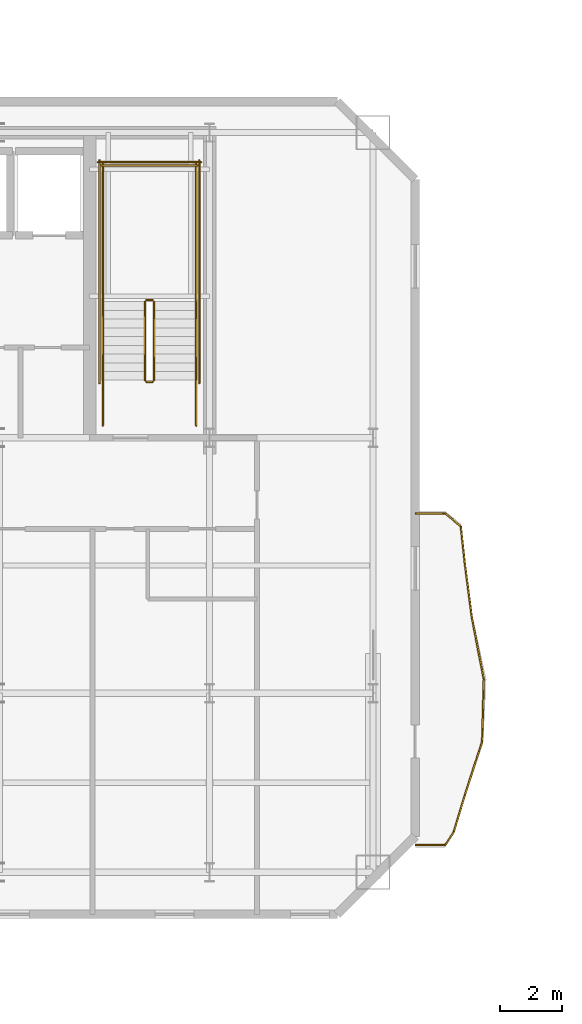
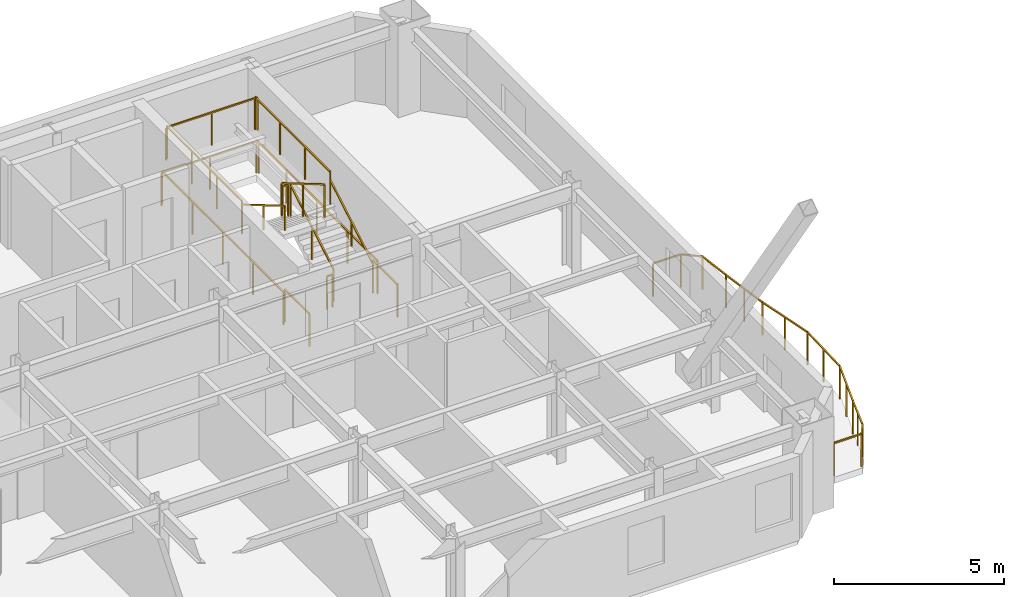
# One storey, part 12 of 14: 24 railings.
"""IFC4 building model written with IfcOpenShell, lengths in metres."""

from ifc_helpers import new_model, si_unit, direction, frame, origin, origin_2d, place, context, subcontext, project, spatial, rectangle, extrude, material, type_object, element, save


model = new_model("IFC4")

# Units and contexts
model_context = context("Model", 3, precision=1e-05, world=origin(), true_north=direction((0.0, 1.0)))
body_context = subcontext(model_context, "Body", "Model", "MODEL_VIEW")
ifc_project = project(units=[si_unit("LENGTHUNIT", "METRE"), si_unit("AREAUNIT", "SQUARE_METRE"), si_unit("VOLUMEUNIT", "CUBIC_METRE"), si_unit("PLANEANGLEUNIT", "RADIAN"), si_unit("MASSUNIT", "GRAM", prefix="KILO")], contexts=[model_context])

# Site, building, storey
site_placement = place(None, origin())
site = spatial("IfcSite", under=ifc_project, at=site_placement, CompositionType="ELEMENT")
building_placement = place(site_placement, origin())
building = spatial("IfcBuilding", under=site, at=building_placement, Name="Haevon Station Towers", CompositionType="ELEMENT")
storey_placement = place(building_placement, frame((0.0, 0.0, 228.60009765625)))
storey = spatial("IfcBuildingStorey", under=building, at=storey_placement, Name="L63", CompositionType="ELEMENT", Elevation=228.60009765625)

# Railings
ifc_material = material(Name="Steel S355", Category="steel")
railing_type_1 = type_object("IfcRailingType", Name="GRD-EXT1200", PredefinedType="GUARDRAIL", material=ifc_material)
railing_1_placement = place(storey_placement, frame((57.62353515625, 25.1279296875, 0.0)))
element("IfcRailing", 1, at=railing_1_placement, inside=storey, type_object=railing_type_1, Name="L63 Perimeter Guardrail 1", PredefinedType="GUARDRAIL", context=body_context, shape_type="SweptSolid", body=[
    extrude(rectangle(XDim=0.048095703125, YDim=0.048095703125, at=origin_2d()), frame((0.0, 0.0, 1.17578125), z_axis=(0.999997857851, 0.002069853263, 0.0), x_axis=(-0.002069853263, 0.999997857851, 0.0)), (0.0, 0.0, 1.0), 0.943603515625),
    extrude(rectangle(XDim=0.0419921875, YDim=0.0419921875, at=origin_2d()), origin(), (0.0, 0.0, 1.0), 1.15185546875),
    extrude(rectangle(XDim=0.0419921875, YDim=0.0419921875, at=origin_2d()), frame((0.943603515625, 0.001953125, 0.0)), (0.0, 0.0, 1.0), 1.15185546875),
])
railing_2_placement = place(storey_placement, frame((58.567138671875, 25.1298828125, 0.0)))
element("IfcRailing", 2, at=railing_2_placement, inside=storey, type_object=railing_type_1, Name="L63 Perimeter Guardrail 2", PredefinedType="GUARDRAIL", context=body_context, shape_type="SweptSolid", body=[
    extrude(rectangle(XDim=0.048095703125, YDim=0.048095703125, at=origin_2d()), frame((0.0, 0.0, 1.17578125), z_axis=(0.551035492448, 0.834481806909, 0.0), x_axis=(-0.834481806909, 0.551035492448, 0.0)), (0.0, 0.0, 1.0), 0.49267578125),
    extrude(rectangle(XDim=0.0419921875, YDim=0.0419921875, at=origin_2d()), origin(), (0.0, 0.0, 1.0), 1.15185546875),
    extrude(rectangle(XDim=0.0419921875, YDim=0.0419921875, at=origin_2d()), frame((0.271484375, 0.4111328125, 0.0)), (0.0, 0.0, 1.0), 1.15185546875),
])
railing_3_placement = place(storey_placement, frame((58.838623046875, 25.541015625, 0.0)))
element("IfcRailing", 3, at=railing_3_placement, inside=storey, type_object=railing_type_1, Name="L63 Perimeter Guardrail 3", PredefinedType="GUARDRAIL", context=body_context, shape_type="SweptSolid", body=[
    extrude(rectangle(XDim=0.048095703125, YDim=0.048095703125, at=origin_2d()), frame((0.0, 0.0, 1.17578125), z_axis=(0.289691533525, 0.957120063212, 0.0), x_axis=(-0.957120063212, 0.289691533525, 0.0)), (0.0, 0.0, 1.0), 1.222900390625),
    extrude(rectangle(XDim=0.0419921875, YDim=0.0419921875, at=origin_2d()), origin(), (0.0, 0.0, 1.0), 1.15185546875),
    extrude(rectangle(XDim=0.0419921875, YDim=0.0419921875, at=origin_2d()), frame((0.17724609375, 0.585205078125, 0.0)), (0.0, 0.0, 1.0), 1.15185546875),
    extrude(rectangle(XDim=0.0419921875, YDim=0.0419921875, at=origin_2d()), frame((0.354248046875, 1.17041015625, 0.0)), (0.0, 0.0, 1.0), 1.15185546875),
])
railing_4_placement = place(storey_placement, frame((59.19287109375, 26.71142578125, 0.0)))
element("IfcRailing", 4, at=railing_4_placement, inside=storey, type_object=railing_type_1, Name="L63 Perimeter Guardrail 4", PredefinedType="GUARDRAIL", context=body_context, shape_type="SweptSolid", body=[
    extrude(rectangle(XDim=0.048095703125, YDim=0.048095703125, at=origin_2d()), frame((0.0, 0.0, 1.17578125), z_axis=(0.30505605899, 0.952334395511, 0.0), x_axis=(-0.952334395511, 0.30505605899, 0.0)), (0.0, 0.0, 1.0), 1.832763671875),
    extrude(rectangle(XDim=0.0419921875, YDim=0.0419921875, at=origin_2d()), origin(), (0.0, 0.0, 1.0), 1.15185546875),
    extrude(rectangle(XDim=0.0419921875, YDim=0.0419921875, at=origin_2d()), frame((0.279541015625, 0.87255859375, 0.0)), (0.0, 0.0, 1.0), 1.15185546875),
    extrude(rectangle(XDim=0.0419921875, YDim=0.0419921875, at=origin_2d()), frame((0.55908203125, 1.745361328125, 0.0)), (0.0, 0.0, 1.0), 1.15185546875),
])
railing_5_placement = place(storey_placement, frame((59.751953125, 28.456787109375, 0.0)))
element("IfcRailing", 5, at=railing_5_placement, inside=storey, type_object=railing_type_1, Name="L63 Perimeter Guardrail 5", PredefinedType="GUARDRAIL", context=body_context, shape_type="SweptSolid", body=[
    extrude(rectangle(XDim=0.048095703125, YDim=0.048095703125, at=origin_2d()), frame((0.0, 0.0, 1.17578125), z_axis=(0.026326002365, 0.999653410738, 0.0), x_axis=(-0.999653410738, 0.026326002365, 0.0)), (0.0, 0.0, 1.0), 1.993896484375),
    extrude(rectangle(XDim=0.0419921875, YDim=0.0419921875, at=origin_2d()), origin(), (0.0, 0.0, 1.0), 1.15185546875),
    extrude(rectangle(XDim=0.0419921875, YDim=0.0419921875, at=origin_2d()), frame((0.0263671875, 0.99658203125, 0.0)), (0.0, 0.0, 1.0), 1.15185546875),
    extrude(rectangle(XDim=0.0419921875, YDim=0.0419921875, at=origin_2d()), frame((0.052490234375, 1.9931640625, 0.0)), (0.0, 0.0, 1.0), 1.15185546875),
])
railing_6_placement = place(storey_placement, frame((59.804443359375, 30.449951171875, 0.0)))
element("IfcRailing", 6, at=railing_6_placement, inside=storey, type_object=railing_type_1, Name="L63 Perimeter Guardrail 6", PredefinedType="GUARDRAIL", context=body_context, shape_type="SweptSolid", body=[
    extrude(rectangle(XDim=0.048095703125, YDim=0.048095703125, at=origin_2d()), frame((0.0, 0.0, 1.17578125), z_axis=(-0.189669695752, 0.981847954886, 0.0), x_axis=(-0.981847954886, -0.189669695752, 0.0)), (0.0, 0.0, 1.0), 2.026123046875),
    extrude(rectangle(XDim=0.0419921875, YDim=0.0419921875, at=origin_2d()), origin(), (0.0, 0.0, 1.0), 1.15185546875),
    extrude(rectangle(XDim=0.0419921875, YDim=0.0419921875, at=origin_2d()), frame((-0.192138671875, 0.99462890625, 0.0)), (0.0, 0.0, 1.0), 1.15185546875),
    extrude(rectangle(XDim=0.0419921875, YDim=0.0419921875, at=origin_2d()), frame((-0.38427734375, 1.9892578125, 0.0)), (0.0, 0.0, 1.0), 1.15185546875),
])
railing_7_placement = place(storey_placement, frame((59.420166015625, 32.439208984375, 0.0)))
element("IfcRailing", 7, at=railing_7_placement, inside=storey, type_object=railing_type_1, Name="L63 Perimeter Guardrail 7", PredefinedType="GUARDRAIL", context=body_context, shape_type="SweptSolid", body=[
    extrude(rectangle(XDim=0.048095703125, YDim=0.048095703125, at=origin_2d()), frame((0.0, 0.0, 1.17578125), z_axis=(-0.128836300535, 0.991665875013, 0.0), x_axis=(-0.991665875013, -0.128836300535, 0.0)), (0.0, 0.0, 1.0), 1.76416015625),
    extrude(rectangle(XDim=0.0419921875, YDim=0.0419921875, at=origin_2d()), origin(), (0.0, 0.0, 1.0), 1.15185546875),
    extrude(rectangle(XDim=0.0419921875, YDim=0.0419921875, at=origin_2d()), frame((-0.11376953125, 0.874755859375, 0.0)), (0.0, 0.0, 1.0), 1.15185546875),
    extrude(rectangle(XDim=0.0419921875, YDim=0.0419921875, at=origin_2d()), frame((-0.227294921875, 1.74951171875, 0.0)), (0.0, 0.0, 1.0), 1.15185546875),
])
railing_8_placement = place(storey_placement, frame((59.19287109375, 34.188720703125, 0.0)))
element("IfcRailing", 8, at=railing_8_placement, inside=storey, type_object=railing_type_1, Name="L63 Perimeter Guardrail 8", PredefinedType="GUARDRAIL", context=body_context, shape_type="SweptSolid", body=[
    extrude(rectangle(XDim=0.048095703125, YDim=0.048095703125, at=origin_2d()), frame((0.0, 0.0, 1.17578125), z_axis=(-0.10826862392, 0.994121675186, 0.0), x_axis=(-0.994121675186, -0.10826862392, 0.0)), (0.0, 0.0, 1.0), 1.177001953125),
    extrude(rectangle(XDim=0.0419921875, YDim=0.0419921875, at=origin_2d()), origin(), (0.0, 0.0, 1.0), 1.15185546875),
    extrude(rectangle(XDim=0.0419921875, YDim=0.0419921875, at=origin_2d()), frame((-0.12744140625, 1.170166015625, 0.0)), (0.0, 0.0, 1.0), 1.15185546875),
])
railing_9_placement = place(storey_placement, frame((59.0654296875, 35.35888671875, 0.0)))
element("IfcRailing", 9, at=railing_9_placement, inside=storey, type_object=railing_type_1, Name="L63 Perimeter Guardrail 9", PredefinedType="GUARDRAIL", context=body_context, shape_type="SweptSolid", body=[
    extrude(rectangle(XDim=0.048095703125, YDim=0.048095703125, at=origin_2d()), frame((0.0, 0.0, 1.17578125), z_axis=(-0.771155301893, 0.636647076771, 0.0), x_axis=(-0.636647076771, -0.771155301893, 0.0)), (0.0, 0.0, 1.0), 0.646240234375),
    extrude(rectangle(XDim=0.0419921875, YDim=0.0419921875, at=origin_2d()), origin(), (0.0, 0.0, 1.0), 1.15185546875),
    extrude(rectangle(XDim=0.0419921875, YDim=0.0419921875, at=origin_2d()), frame((-0.498291015625, 0.411376953125, 0.0)), (0.0, 0.0, 1.0), 1.15185546875),
])
railing_10_placement = place(storey_placement, frame((58.567138671875, 35.770263671875, 0.0)))
element("IfcRailing", 10, at=railing_10_placement, inside=storey, type_object=railing_type_1, Name="L63 Perimeter Guardrail 10", PredefinedType="GUARDRAIL", context=body_context, shape_type="SweptSolid", body=[
    extrude(rectangle(XDim=0.048095703125, YDim=0.048095703125, at=origin_2d()), frame((0.0, 0.0, 1.17578125), z_axis=(-0.999997857851, 0.002069853263, 0.0), x_axis=(-0.002069853263, -0.999997857851, 0.0)), (0.0, 0.0, 1.0), 0.943603515625),
    extrude(rectangle(XDim=0.0419921875, YDim=0.0419921875, at=origin_2d()), origin(), (0.0, 0.0, 1.0), 1.15185546875),
    extrude(rectangle(XDim=0.0419921875, YDim=0.0419921875, at=origin_2d()), frame((-0.943603515625, 0.001953125, 0.0)), (0.0, 0.0, 1.0), 1.15185546875),
])
railing_type_2 = type_object("IfcRailingType", Name="GRD-STR1200", PredefinedType="GUARDRAIL", material=ifc_material)
railing_11_placement = place(storey_placement, frame((49.219970703125, 40.050048828125, 0.164794921875)))
element("IfcRailing", 11, at=railing_11_placement, inside=storey, type_object=railing_type_2, Name="L63 ST2 Stair Guard 1", PredefinedType="GUARDRAIL", context=body_context, shape_type="SweptSolid", body=[
    extrude(rectangle(XDim=0.048095703125, YDim=0.048095703125, at=origin_2d()), frame((0.0, 0.0, 1.17578125), z_axis=(0.0, 0.86152411907, 0.507716645641), x_axis=(-1.0, 0.0, 0.0)), (0.0, 0.0, 1.0), 2.925048828125),
    extrude(rectangle(XDim=0.0419921875, YDim=0.0419921875, at=origin_2d()), origin(), (0.0, 0.0, 1.0), 1.15185546875),
    extrude(rectangle(XDim=0.0419921875, YDim=0.0419921875, at=origin_2d()), frame((0.0, 1.260009765625, 0.74267578125)), (0.0, 0.0, 1.0), 1.15185546875),
    extrude(rectangle(XDim=0.0419921875, YDim=0.0419921875, at=origin_2d()), frame((0.0, 2.52001953125, 1.485107421875)), (0.0, 0.0, 1.0), 1.15185546875),
])
railing_12_placement = place(storey_placement, frame((49.169921875, 42.6201171875, 1.64990234375)))
element("IfcRailing", 12, at=railing_12_placement, inside=storey, type_object=railing_type_2, Name="L63 ST2 Stair Guard 2", PredefinedType="GUARDRAIL", context=body_context, shape_type="SweptSolid", body=[
    extrude(rectangle(XDim=0.048095703125, YDim=0.048095703125, at=origin_2d()), frame((0.0, 0.0, 1.17578125), z_axis=(-1.0, 0.0, 0.0), x_axis=(0.0, -1.0, 0.0)), (0.0, 0.0, 1.0), 0.199951171875),
    extrude(rectangle(XDim=0.0419921875, YDim=0.0419921875, at=origin_2d()), origin(), (0.0, 0.0, 1.0), 1.15185546875),
    extrude(rectangle(XDim=0.0419921875, YDim=0.0419921875, at=origin_2d()), frame((-0.199951171875, 0.0, 0.0)), (0.0, 0.0, 1.0), 1.15185546875),
])
for number, where, name in (
    (13, (50.570068359375, 42.570068359375, 1.64990234375), "L63 ST2 Stair Guard 3"),
    (14, (47.570068359375, 42.570068359375, 1.64990234375), "L63 ST2 Stair Guard 4"),
):
    element("IfcRailing", number, at=place(storey_placement, frame(where)), inside=storey, type_object=railing_type_2, Name=name, PredefinedType="GUARDRAIL", context=body_context, shape_type="SweptSolid", body=[
        extrude(rectangle(XDim=0.048095703125, YDim=0.048095703125, at=origin_2d()), frame((0.0, 0.0, 1.17578125), z_axis=(0.0, 1.0, 0.0), x_axis=(-1.0, 0.0, 0.0)), (0.0, 0.0, 1.0), 4.429931640625),
        extrude(rectangle(XDim=0.0419921875, YDim=0.0419921875, at=origin_2d()), origin(), (0.0, 0.0, 1.0), 1.15185546875),
        extrude(rectangle(XDim=0.0419921875, YDim=0.0419921875, at=origin_2d()), frame((0.0, 1.4765625, 0.0)), (0.0, 0.0, 1.0), 1.15185546875),
        extrude(rectangle(XDim=0.0419921875, YDim=0.0419921875, at=origin_2d()), frame((0.0, 2.953369140625, 0.0)), (0.0, 0.0, 1.0), 1.15185546875),
        extrude(rectangle(XDim=0.0419921875, YDim=0.0419921875, at=origin_2d()), frame((0.0, 4.429931640625, 0.0)), (0.0, 0.0, 1.0), 1.15185546875),
    ])
railing_13_placement = place(storey_placement, frame((50.6201171875, 46.949951171875, 1.64990234375)))
element("IfcRailing", 15, at=railing_13_placement, inside=storey, type_object=railing_type_2, Name="L63 ST2 Stair Guard 5", PredefinedType="GUARDRAIL", context=body_context, shape_type="SweptSolid", body=[
    extrude(rectangle(XDim=0.048095703125, YDim=0.048095703125, at=origin_2d()), frame((0.0, 0.0, 1.17578125), z_axis=(-1.0, 0.0, 0.0), x_axis=(0.0, -1.0, 0.0)), (0.0, 0.0, 1.0), 3.10009765625),
    extrude(rectangle(XDim=0.0419921875, YDim=0.0419921875, at=origin_2d()), origin(), (0.0, 0.0, 1.0), 1.15185546875),
    extrude(rectangle(XDim=0.0419921875, YDim=0.0419921875, at=origin_2d()), frame((-1.550048828125, 0.0, 0.0)), (0.0, 0.0, 1.0), 1.15185546875),
    extrude(rectangle(XDim=0.0419921875, YDim=0.0419921875, at=origin_2d()), frame((-3.10009765625, 0.0, 0.0)), (0.0, 0.0, 1.0), 1.15185546875),
])
railing_14_placement = place(storey_placement, frame((48.919921875, 42.570068359375, 1.81494140625)))
element("IfcRailing", 16, at=railing_14_placement, inside=storey, type_object=railing_type_2, Name="L63 ST2 Stair Guard 6", PredefinedType="GUARDRAIL", context=body_context, shape_type="SweptSolid", body=[
    extrude(rectangle(XDim=0.048095703125, YDim=0.048095703125, at=origin_2d()), frame((0.0, 0.0, 1.17578125), z_axis=(0.0, -0.861560626758, 0.507654692109), x_axis=(1.0, 0.0, 0.0)), (0.0, 0.0, 1.0), 2.925048828125),
    extrude(rectangle(XDim=0.0419921875, YDim=0.0419921875, at=origin_2d()), origin(), (0.0, 0.0, 1.0), 1.15185546875),
    extrude(rectangle(XDim=0.0419921875, YDim=0.0419921875, at=origin_2d()), frame((0.0, -1.260009765625, 0.742431640625)), (0.0, 0.0, 1.0), 1.15185546875),
    extrude(rectangle(XDim=0.0419921875, YDim=0.0419921875, at=origin_2d()), frame((0.0, -2.52001953125, 1.48486328125)), (0.0, 0.0, 1.0), 1.15185546875),
])
railing_15_placement = place(storey_placement, frame((49.169921875, 40.0, 0.0)))
element("IfcRailing", 17, at=railing_15_placement, inside=storey, type_object=railing_type_2, Name="L63 ST2 Stair Guard 7", PredefinedType="GUARDRAIL", context=body_context, shape_type="SweptSolid", body=[
    extrude(rectangle(XDim=0.048095703125, YDim=0.048095703125, at=origin_2d()), frame((0.0, 0.0, 1.17578125), z_axis=(-1.0, 0.0, 0.0), x_axis=(0.0, -1.0, 0.0)), (0.0, 0.0, 1.0), 0.199951171875),
    extrude(rectangle(XDim=0.0419921875, YDim=0.0419921875, at=origin_2d()), origin(), (0.0, 0.0, 1.0), 1.15185546875),
    extrude(rectangle(XDim=0.0419921875, YDim=0.0419921875, at=origin_2d()), frame((-0.199951171875, 0.0, 0.0)), (0.0, 0.0, 1.0), 1.15185546875),
])
for number, where, name in (
    (18, (50.570068359375, 38.60009765625, 0.0), "L63 ST2 Stair Guard 8"),
    (19, (47.570068359375, 38.60009765625, 0.0), "L63 ST2 Stair Guard 9"),
):
    element("IfcRailing", number, at=place(storey_placement, frame(where)), inside=storey, type_object=railing_type_2, Name=name, PredefinedType="GUARDRAIL", context=body_context, shape_type="SweptSolid", body=[
        extrude(rectangle(XDim=0.048095703125, YDim=0.048095703125, at=origin_2d()), frame((0.0, 0.0, 1.17578125), z_axis=(0.0, 1.0, 0.0), x_axis=(-1.0, 0.0, 0.0)), (0.0, 0.0, 1.0), 1.449951171875),
        extrude(rectangle(XDim=0.0419921875, YDim=0.0419921875, at=origin_2d()), origin(), (0.0, 0.0, 1.0), 1.15185546875),
        extrude(rectangle(XDim=0.0419921875, YDim=0.0419921875, at=origin_2d()), frame((0.0, 1.449951171875, 0.0)), (0.0, 0.0, 1.0), 1.15185546875),
    ])
for number, where, name in (
    (20, (50.669921875, 39.949951171875, 0.0), "L63 ST2 Stair Guard 10"),
    (21, (47.469970703125, 39.949951171875, 0.0), "L63 ST2 Stair Guard 11"),
):
    element("IfcRailing", number, at=place(storey_placement, frame(where)), inside=storey, type_object=railing_type_2, Name=name, PredefinedType="GUARDRAIL", context=body_context, shape_type="SweptSolid", body=[
        extrude(rectangle(XDim=0.048095703125, YDim=0.048095703125, at=origin_2d()), frame((0.0, 0.0, 1.17578125), z_axis=(0.0, 1.0, 0.0), x_axis=(-1.0, 0.0, 0.0)), (0.0, 0.0, 1.0), 7.150146484375),
        extrude(rectangle(XDim=0.0419921875, YDim=0.0419921875, at=origin_2d()), origin(), (0.0, 0.0, 1.0), 1.15185546875),
        extrude(rectangle(XDim=0.0419921875, YDim=0.0419921875, at=origin_2d()), frame((0.0, 1.78759765625, 0.0)), (0.0, 0.0, 1.0), 1.15185546875),
        extrude(rectangle(XDim=0.0419921875, YDim=0.0419921875, at=origin_2d()), frame((0.0, 3.5751953125, 0.0)), (0.0, 0.0, 1.0), 1.15185546875),
        extrude(rectangle(XDim=0.0419921875, YDim=0.0419921875, at=origin_2d()), frame((0.0, 5.362548828125, 0.0)), (0.0, 0.0, 1.0), 1.15185546875),
        extrude(rectangle(XDim=0.0419921875, YDim=0.0419921875, at=origin_2d()), frame((0.0, 7.150146484375, 0.0)), (0.0, 0.0, 1.0), 1.15185546875),
    ])
railing_16_placement = place(storey_placement, frame((50.719970703125, 47.050048828125, 0.0)))
element("IfcRailing", 22, at=railing_16_placement, inside=storey, type_object=railing_type_2, Name="L63 ST2 Stair Guard 12", PredefinedType="GUARDRAIL", context=body_context, shape_type="SweptSolid", body=[
    extrude(rectangle(XDim=0.048095703125, YDim=0.048095703125, at=origin_2d()), frame((0.0, 0.0, 1.17578125), z_axis=(-1.0, 0.0, 0.0), x_axis=(0.0, -1.0, 0.0)), (0.0, 0.0, 1.0), 3.300048828125),
    extrude(rectangle(XDim=0.0419921875, YDim=0.0419921875, at=origin_2d()), origin(), (0.0, 0.0, 1.0), 1.15185546875),
    extrude(rectangle(XDim=0.0419921875, YDim=0.0419921875, at=origin_2d()), frame((-1.64990234375, 0.0, 0.0)), (0.0, 0.0, 1.0), 1.15185546875),
    extrude(rectangle(XDim=0.0419921875, YDim=0.0419921875, at=origin_2d()), frame((-3.300048828125, 0.0, 0.0)), (0.0, 0.0, 1.0), 1.15185546875),
])
railing_type_3 = type_object("IfcRailingType", Name="HND-STR900", PredefinedType="HANDRAIL", material=ifc_material)
railing_17_placement = place(storey_placement, frame((50.570068359375, 40.050048828125, 0.164794921875)))
element("IfcRailing", 23, at=railing_17_placement, inside=storey, type_object=railing_type_3, Name="L63 ST2 Stair Handrail 1", PredefinedType="HANDRAIL", context=body_context, shape_type="SweptSolid", body=[
    extrude(rectangle(XDim=0.048095703125, YDim=0.048095703125, at=origin_2d()), frame((0.0, 0.0, 0.8759765625), z_axis=(0.0, 0.86152411907, 0.507716645641), x_axis=(-1.0, 0.0, 0.0)), (0.0, 0.0, 1.0), 2.925048828125),
    extrude(rectangle(XDim=0.0419921875, YDim=0.0419921875, at=origin_2d()), origin(), (0.0, 0.0, 1.0), 0.851806640625),
    extrude(rectangle(XDim=0.0419921875, YDim=0.0419921875, at=origin_2d()), frame((0.0, 1.260009765625, 0.74267578125)), (0.0, 0.0, 1.0), 0.851806640625),
    extrude(rectangle(XDim=0.0419921875, YDim=0.0419921875, at=origin_2d()), frame((0.0, 2.52001953125, 1.485107421875)), (0.0, 0.0, 1.0), 0.851806640625),
])
railing_18_placement = place(storey_placement, frame((47.570068359375, 42.570068359375, 1.81494140625)))
element("IfcRailing", 24, at=railing_18_placement, inside=storey, type_object=railing_type_3, Name="L63 ST2 Stair Handrail 2", PredefinedType="HANDRAIL", context=body_context, shape_type="SweptSolid", body=[
    extrude(rectangle(XDim=0.048095703125, YDim=0.048095703125, at=origin_2d()), frame((0.0, 0.0, 0.8759765625), z_axis=(0.0, -0.861560626758, 0.507654692109), x_axis=(1.0, 0.0, 0.0)), (0.0, 0.0, 1.0), 2.925048828125),
    extrude(rectangle(XDim=0.0419921875, YDim=0.0419921875, at=origin_2d()), origin(), (0.0, 0.0, 1.0), 0.851806640625),
    extrude(rectangle(XDim=0.0419921875, YDim=0.0419921875, at=origin_2d()), frame((0.0, -1.260009765625, 0.742431640625)), (0.0, 0.0, 1.0), 0.851806640625),
    extrude(rectangle(XDim=0.0419921875, YDim=0.0419921875, at=origin_2d()), frame((0.0, -2.52001953125, 1.48486328125)), (0.0, 0.0, 1.0), 0.851806640625),
])

save(model, "model.ifc")
